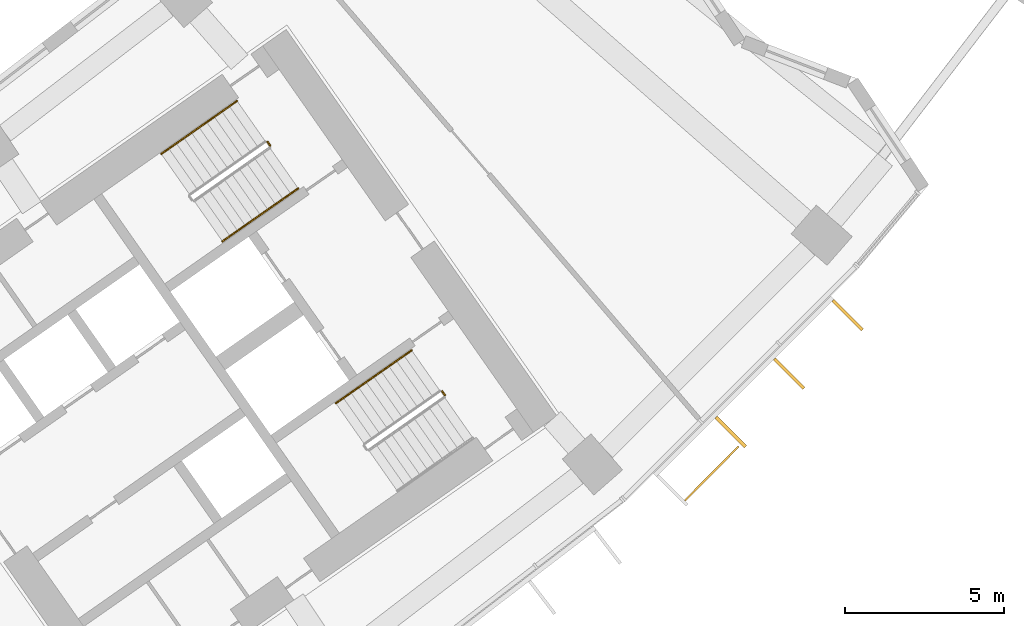
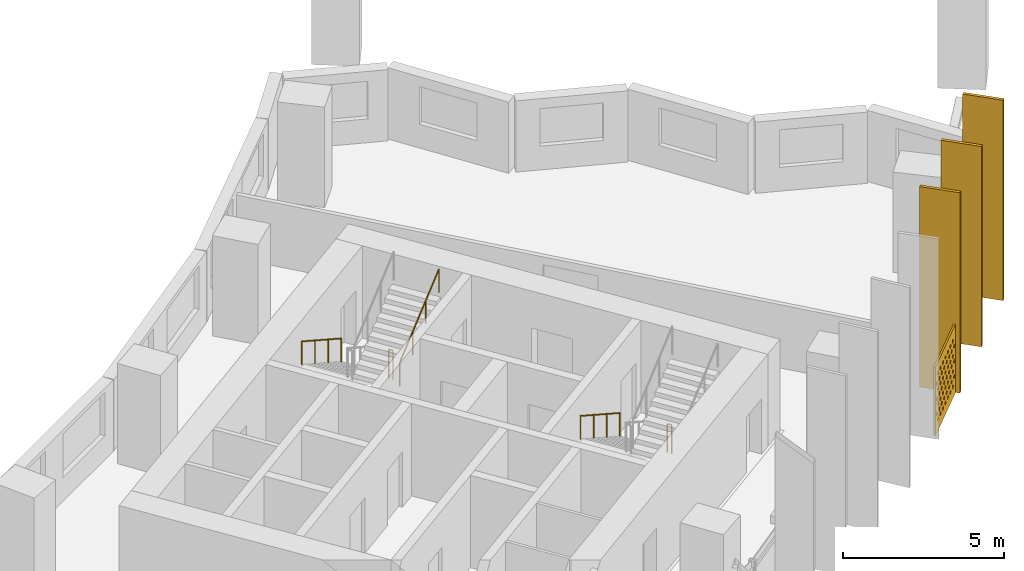
# One storey, part 29 of 29: 5 railings, 4 shading devices.
"""IFC4 building model written with IfcOpenShell, lengths in metres."""

import ifcopenshell
import ifcopenshell.guid

model = None  # the IFC model being written
_history = None  # IfcOwnerHistory: only IFC2X3 demands one
_inside = {}  # id of a spatial element -> (the spatial element, [elements in it])
_under = {}  # id of a project, library or spatial element -> (it, [spatial elements below it])
_declared = {}  # id of a project -> (the project, [libraries it declares])
_typed = {}  # id of a type object -> (the type object, [elements of that type])
_made_of = {}  # id of a material, layer set ... -> (it, [elements and type objects made of it])


def new_model(schema):
    """Start an empty IFC model of exactly this schema.

    Asked for "IFC4X3", IfcOpenShell would pick the latest addendum, in which some entities
    have other attributes; the version numbers below select the first issue.
    IFC2X3 requires an IfcOwnerHistory on every rooted entity: one is made here for all.
    """
    global model, _history
    if schema == "IFC4X3":
        model = ifcopenshell.file(schema_version=(4, 3, 0, 0))
    else:
        model = ifcopenshell.file(schema=schema)
    _inside.clear()
    _under.clear()
    _declared.clear()
    _typed.clear()
    _made_of.clear()
    _history = None
    if model.schema == "IFC2X3":
        org = make("IfcOrganization", Name="unknown")
        user = make(
            "IfcPersonAndOrganization",
            ThePerson=make("IfcPerson", FamilyName="unknown"),
            TheOrganization=org,
        )
        app = make(
            "IfcApplication",
            ApplicationDeveloper=org,
            Version="unknown",
            ApplicationFullName="unknown",
            ApplicationIdentifier="unknown",
        )
        _history = make(
            "IfcOwnerHistory",
            OwningUser=user,
            OwningApplication=app,
            ChangeAction="ADDED",
            CreationDate=0,
        )
    return model


def make(cls, **values):
    """One entity of the class cls with the attributes given. An attribute that is None is left unset."""
    return model.create_entity(
        cls, **{name: value for name, value in values.items() if value is not None}
    )


def rooted(cls, **values):
    """An entity with a GlobalId (a new one), such as an element, a storey or a relation."""
    return make(cls, GlobalId=ifcopenshell.guid.new(), OwnerHistory=_history, **values)


def si_unit(unit_type, name, prefix=None):
    """IfcSIUnit, for example si_unit("LENGTHUNIT", "METRE", prefix="MILLI")."""
    return make("IfcSIUnit", UnitType=unit_type, Prefix=prefix, Name=name)


def assignment(units):
    """IfcUnitAssignment: the units of a project."""
    return None if units is None else make("IfcUnitAssignment", Units=units)


def point(xyz):
    """IfcCartesianPoint."""
    return None if xyz is None else make("IfcCartesianPoint", Coordinates=xyz)


def direction(xyz):
    """IfcDirection."""
    return None if xyz is None else make("IfcDirection", DirectionRatios=xyz)


def frame(location, z_axis=None, x_axis=None):
    """IfcAxis2Placement3D, a coordinate frame: its origin and axes. An axis left out is left unset."""
    return make(
        "IfcAxis2Placement3D",
        Location=point(location),
        Axis=direction(z_axis),
        RefDirection=direction(x_axis),
    )


def frame_2d(location, x_axis=None):
    """IfcAxis2Placement2D, a coordinate frame in the plane: its origin and x axis."""
    return make(
        "IfcAxis2Placement2D", Location=point(location), RefDirection=direction(x_axis)
    )


def origin():
    """The frame at (0, 0, 0) with its axes left unset."""
    return frame((0.0, 0.0, 0.0))


def origin_2d():
    """The frame at (0, 0) in the plane with its x axis left unset."""
    return frame_2d((0.0, 0.0))


def place(relative_to, where):
    """IfcLocalPlacement: puts the frame where relative to a parent placement (None: the world)."""
    return make(
        "IfcLocalPlacement", PlacementRelTo=relative_to, RelativePlacement=where
    )


def context(
    kind, dimensions, precision=None, world=None, true_north=None, identifier=None
):
    """IfcGeometricRepresentationContext, for example the 3D "Model" context."""
    return make(
        "IfcGeometricRepresentationContext",
        ContextIdentifier=identifier,
        ContextType=kind,
        CoordinateSpaceDimension=dimensions,
        Precision=precision,
        WorldCoordinateSystem=world,
        TrueNorth=true_north,
    )


def subcontext(parent, identifier, kind, view, scale=None):
    """IfcGeometricRepresentationSubContext, for example "Body" below "Model"."""
    return make(
        "IfcGeometricRepresentationSubContext",
        ContextIdentifier=identifier,
        ContextType=kind,
        ParentContext=parent,
        TargetScale=scale,
        TargetView=view,
    )


def project(units=None, contexts=None):
    """IfcProject with its units and contexts."""
    return rooted(
        "IfcProject",
        Name="project",
        RepresentationContexts=contexts,
        UnitsInContext=assignment(units),
    )


def spatial(cls, under=None, at=None, **own):
    """A site, building, storey or space (cls), placed at a placement, below another one or the project."""
    s = rooted(cls, ObjectPlacement=at, **own)
    if under is not None:
        _under.setdefault(under.id(), (under, []))[1].append(s)
    return s


def polyline(points):
    """IfcPolyline through the points."""
    return make("IfcPolyline", Points=[point(p) for p in points])


def profile(cls, at=None, kind="AREA", **sizes):
    """A parametric profile (cls). Its sizes go by their IFC names, for example OverallWidth=200.0."""
    return make(cls, ProfileType=kind, Position=at, **sizes)


def rectangle(**sizes):
    """IfcRectangleProfileDef."""
    return profile("IfcRectangleProfileDef", **sizes)


def circle(**sizes):
    """IfcCircleProfileDef."""
    return profile("IfcCircleProfileDef", **sizes)


def outline(outer, holes=None, kind="AREA"):
    """IfcArbitraryClosedProfileDef: a profile drawn as a closed curve; with holes, ...WithVoids."""
    if holes is None:
        return make("IfcArbitraryClosedProfileDef", ProfileType=kind, OuterCurve=outer)
    return make(
        "IfcArbitraryProfileDefWithVoids",
        ProfileType=kind,
        OuterCurve=outer,
        InnerCurves=holes,
    )


def extrude(swept, where, along, depth):
    """IfcExtrudedAreaSolid: the profile swept, set in the frame where, extruded along a direction by depth."""
    return make(
        "IfcExtrudedAreaSolid",
        SweptArea=swept,
        Position=where,
        ExtrudedDirection=direction(along),
        Depth=depth,
    )


def shape(context_of_items, identifier, shape_type, items):
    """IfcShapeRepresentation: the items that make up one representation, for example the "Body"."""
    return make(
        "IfcShapeRepresentation",
        ContextOfItems=context_of_items,
        RepresentationIdentifier=identifier,
        RepresentationType=shape_type,
        Items=items,
    )


def material(Name=None, Category=None):
    """IfcMaterial."""
    return make("IfcMaterial", Name=Name, Category=Category)


def material_profile(
    of_material, cross_section, Name=None, Category=None, Priority=None
):
    """IfcMaterialProfile: a cross section and its material."""
    return make(
        "IfcMaterialProfile",
        Name=Name,
        Material=of_material,
        Profile=cross_section,
        Priority=Priority,
        Category=Category,
    )


def profile_set(profiles, Name=None, composite=None):
    """IfcMaterialProfileSet."""
    return make(
        "IfcMaterialProfileSet",
        Name=Name,
        MaterialProfiles=profiles,
        CompositeProfile=composite,
    )


def made_of(thing, what):
    """Note that an element or type object is made of a material, layer set ...; save() writes the relation."""
    if what is not None:
        _made_of.setdefault(what.id(), (what, []))[1].append(thing)
    return thing


def type_object(cls, material=None, **own):
    """A type object (cls), such as IfcWallType, which elements share."""
    return made_of(rooted(cls, **own), material)


def element(
    cls,
    number,
    at=None,
    inside=None,
    cuts=None,
    type_object=None,
    material=None,
    context=None,
    identifier="Body",
    shape_type=None,
    held_by="IfcProductDefinitionShape",
    body=None,
    shapes=None,
    **own,
):
    """One element of the class cls, such as IfcWall. Its Tag is "e" and its number.

    at: its placement. inside: the storey or other place that contains it. cuts: it is an
    opening in that element (IfcRelVoidsElement). A single representation is given by context,
    identifier, shape_type and body (its items); several are given by shapes. held_by: the class
    of the entity that holds the representations. save() writes the other relations.
    """
    e = rooted(cls, Tag="e%d" % number, ObjectPlacement=at, **own)
    if body is not None:
        shapes = [shape(context, identifier, shape_type, body)]
    if shapes is not None:
        e.Representation = make(held_by, Representations=shapes)
    if inside is not None:
        _inside.setdefault(inside.id(), (inside, []))[1].append(e)
    if cuts is not None:
        rooted(
            "IfcRelVoidsElement", RelatingBuildingElement=cuts, RelatedOpeningElement=e
        )
    if type_object is not None:
        _typed.setdefault(type_object.id(), (type_object, []))[1].append(e)
    return made_of(e, material)


def aggregate(whole, parts):
    """IfcRelAggregates: a whole, such as a stair, and the parts it consists of."""
    return rooted("IfcRelAggregates", RelatingObject=whole, RelatedObjects=parts)


def save(model, path):
    """Write the relations noted so far, then the file.

    IfcRelAggregates (storeys below a building ...), IfcRelContainedInSpatialStructure (elements
    in a storey), IfcRelDefinesByType, IfcRelAssociatesMaterial and IfcRelDeclares: one each for
    every whole, place, type object, material and project.
    """
    for whole, parts in _under.values():
        aggregate(whole, parts)
    for where, things in _inside.values():
        rooted(
            "IfcRelContainedInSpatialStructure",
            RelatedElements=things,
            RelatingStructure=where,
        )
    for kind, things in _typed.values():
        rooted("IfcRelDefinesByType", RelatedObjects=things, RelatingType=kind)
    for what, things in _made_of.values():
        rooted("IfcRelAssociatesMaterial", RelatedObjects=things, RelatingMaterial=what)
    for by, libraries in _declared.values():
        rooted("IfcRelDeclares", RelatingContext=by, RelatedDefinitions=libraries)
    model.write(path)


model = new_model("IFC4")

# Units and contexts
model_context = context("Model", 3, precision=1e-05, world=origin(), true_north=direction((0.0, 1.0)))
body_context = subcontext(model_context, "Body", "Model", "MODEL_VIEW")
ifc_project = project(units=[si_unit("LENGTHUNIT", "METRE"), si_unit("AREAUNIT", "SQUARE_METRE"), si_unit("VOLUMEUNIT", "CUBIC_METRE"), si_unit("PLANEANGLEUNIT", "RADIAN"), si_unit("MASSUNIT", "GRAM", prefix="KILO")], contexts=[model_context])

# Site, building, storey
site_placement = place(None, origin())
site = spatial("IfcSite", under=ifc_project, at=site_placement, CompositionType="ELEMENT")
building_placement = place(site_placement, origin())
building = spatial("IfcBuilding", under=site, at=building_placement, Name="Qamariyya Broadcast Tower", CompositionType="ELEMENT")
storey_placement = place(building_placement, frame((0.0, 0.0, 132.89990234375)))
storey = spatial("IfcBuildingStorey", under=building, at=storey_placement, Name="L30", CompositionType="ELEMENT", Elevation=132.89990234375)

# Shading device
ifc_material_1 = material(Name="Perforated glazed terracotta", Category="masonry")
ifc_material_profile_1 = material_profile(ifc_material_1, outline(polyline([(-1.199951171875, -1.300048828125), (1.199951171875, -1.300048828125), (1.199951171875, 1.300048828125), (-1.199951171875, 1.300048828125), (-1.199951171875, -1.300048828125)]), holes=[polyline([(-0.81494140625, -0.86669921875), (-0.89990234375, -0.78173828125), (-0.985107421875, -0.86669921875), (-0.89990234375, -0.95166015625), (-0.81494140625, -0.86669921875)]), polyline([(-0.514892578125, -0.86669921875), (-0.60009765625, -0.78173828125), (-0.68505859375, -0.86669921875), (-0.60009765625, -0.95166015625), (-0.514892578125, -0.86669921875)]), polyline([(-0.215087890625, -0.86669921875), (-0.300048828125, -0.78173828125), (-0.385009765625, -0.86669921875), (-0.300048828125, -0.95166015625), (-0.215087890625, -0.86669921875)]), polyline([(0.0849609375, -0.86669921875), (0.0, -0.78173828125), (-0.0849609375, -0.86669921875), (0.0, -0.95166015625), (0.0849609375, -0.86669921875)]), polyline([(0.385009765625, -0.86669921875), (0.300048828125, -0.78173828125), (0.215087890625, -0.86669921875), (0.300048828125, -0.95166015625), (0.385009765625, -0.86669921875)]), polyline([(0.68505859375, -0.86669921875), (0.60009765625, -0.78173828125), (0.514892578125, -0.86669921875), (0.60009765625, -0.95166015625), (0.68505859375, -0.86669921875)]), polyline([(0.985107421875, -0.86669921875), (0.89990234375, -0.78173828125), (0.81494140625, -0.86669921875), (0.89990234375, -0.95166015625), (0.985107421875, -0.86669921875)]), polyline([(-0.965087890625, -0.577880859375), (-1.050048828125, -0.49267578125), (-1.135009765625, -0.577880859375), (-1.050048828125, -0.662841796875), (-0.965087890625, -0.577880859375)]), polyline([(-0.6650390625, -0.577880859375), (-0.75, -0.49267578125), (-0.8349609375, -0.577880859375), (-0.75, -0.662841796875), (-0.6650390625, -0.577880859375)]), polyline([(-0.364990234375, -0.577880859375), (-0.449951171875, -0.49267578125), (-0.534912109375, -0.577880859375), (-0.449951171875, -0.662841796875), (-0.364990234375, -0.577880859375)]), polyline([(-0.06494140625, -0.577880859375), (-0.14990234375, -0.49267578125), (-0.235107421875, -0.577880859375), (-0.14990234375, -0.662841796875), (-0.06494140625, -0.577880859375)]), polyline([(0.235107421875, -0.577880859375), (0.14990234375, -0.49267578125), (0.06494140625, -0.577880859375), (0.14990234375, -0.662841796875), (0.235107421875, -0.577880859375)]), polyline([(0.534912109375, -0.577880859375), (0.449951171875, -0.49267578125), (0.364990234375, -0.577880859375), (0.449951171875, -0.662841796875), (0.534912109375, -0.577880859375)]), polyline([(0.8349609375, -0.577880859375), (0.75, -0.49267578125), (0.6650390625, -0.577880859375), (0.75, -0.662841796875), (0.8349609375, -0.577880859375)]), polyline([(1.135009765625, -0.577880859375), (1.050048828125, -0.49267578125), (0.965087890625, -0.577880859375), (1.050048828125, -0.662841796875), (1.135009765625, -0.577880859375)]), polyline([(-0.81494140625, -0.288818359375), (-0.89990234375, -0.203857421875), (-0.985107421875, -0.288818359375), (-0.89990234375, -0.373779296875), (-0.81494140625, -0.288818359375)]), polyline([(-0.514892578125, -0.288818359375), (-0.60009765625, -0.203857421875), (-0.68505859375, -0.288818359375), (-0.60009765625, -0.373779296875), (-0.514892578125, -0.288818359375)]), polyline([(-0.215087890625, -0.288818359375), (-0.300048828125, -0.203857421875), (-0.385009765625, -0.288818359375), (-0.300048828125, -0.373779296875), (-0.215087890625, -0.288818359375)]), polyline([(0.0849609375, -0.288818359375), (0.0, -0.203857421875), (-0.0849609375, -0.288818359375), (0.0, -0.373779296875), (0.0849609375, -0.288818359375)]), polyline([(0.385009765625, -0.288818359375), (0.300048828125, -0.203857421875), (0.215087890625, -0.288818359375), (0.300048828125, -0.373779296875), (0.385009765625, -0.288818359375)]), polyline([(0.68505859375, -0.288818359375), (0.60009765625, -0.203857421875), (0.514892578125, -0.288818359375), (0.60009765625, -0.373779296875), (0.68505859375, -0.288818359375)]), polyline([(0.985107421875, -0.288818359375), (0.89990234375, -0.203857421875), (0.81494140625, -0.288818359375), (0.89990234375, -0.373779296875), (0.985107421875, -0.288818359375)]), polyline([(-0.965087890625, 0.0), (-1.050048828125, 0.0849609375), (-1.135009765625, 0.0), (-1.050048828125, -0.0849609375), (-0.965087890625, 0.0)]), polyline([(-0.6650390625, 0.0), (-0.75, 0.0849609375), (-0.8349609375, 0.0), (-0.75, -0.0849609375), (-0.6650390625, 0.0)]), polyline([(-0.364990234375, 0.0), (-0.449951171875, 0.0849609375), (-0.534912109375, 0.0), (-0.449951171875, -0.0849609375), (-0.364990234375, 0.0)]), polyline([(-0.06494140625, 0.0), (-0.14990234375, 0.0849609375), (-0.235107421875, 0.0), (-0.14990234375, -0.0849609375), (-0.06494140625, 0.0)]), polyline([(0.235107421875, 0.0), (0.14990234375, 0.0849609375), (0.06494140625, 0.0), (0.14990234375, -0.0849609375), (0.235107421875, 0.0)]), polyline([(0.534912109375, 0.0), (0.449951171875, 0.0849609375), (0.364990234375, 0.0), (0.449951171875, -0.0849609375), (0.534912109375, 0.0)]), polyline([(0.8349609375, 0.0), (0.75, 0.0849609375), (0.6650390625, 0.0), (0.75, -0.0849609375), (0.8349609375, 0.0)]), polyline([(1.135009765625, 0.0), (1.050048828125, 0.0849609375), (0.965087890625, 0.0), (1.050048828125, -0.0849609375), (1.135009765625, 0.0)]), polyline([(-0.81494140625, 0.288818359375), (-0.89990234375, 0.373779296875), (-0.985107421875, 0.288818359375), (-0.89990234375, 0.203857421875), (-0.81494140625, 0.288818359375)]), polyline([(-0.514892578125, 0.288818359375), (-0.60009765625, 0.373779296875), (-0.68505859375, 0.288818359375), (-0.60009765625, 0.203857421875), (-0.514892578125, 0.288818359375)]), polyline([(-0.215087890625, 0.288818359375), (-0.300048828125, 0.373779296875), (-0.385009765625, 0.288818359375), (-0.300048828125, 0.203857421875), (-0.215087890625, 0.288818359375)]), polyline([(0.0849609375, 0.288818359375), (0.0, 0.373779296875), (-0.0849609375, 0.288818359375), (0.0, 0.203857421875), (0.0849609375, 0.288818359375)]), polyline([(0.385009765625, 0.288818359375), (0.300048828125, 0.373779296875), (0.215087890625, 0.288818359375), (0.300048828125, 0.203857421875), (0.385009765625, 0.288818359375)]), polyline([(0.68505859375, 0.288818359375), (0.60009765625, 0.373779296875), (0.514892578125, 0.288818359375), (0.60009765625, 0.203857421875), (0.68505859375, 0.288818359375)]), polyline([(0.985107421875, 0.288818359375), (0.89990234375, 0.373779296875), (0.81494140625, 0.288818359375), (0.89990234375, 0.203857421875), (0.985107421875, 0.288818359375)]), polyline([(-0.965087890625, 0.577880859375), (-1.050048828125, 0.662841796875), (-1.135009765625, 0.577880859375), (-1.050048828125, 0.49267578125), (-0.965087890625, 0.577880859375)]), polyline([(-0.6650390625, 0.577880859375), (-0.75, 0.662841796875), (-0.8349609375, 0.577880859375), (-0.75, 0.49267578125), (-0.6650390625, 0.577880859375)]), polyline([(-0.364990234375, 0.577880859375), (-0.449951171875, 0.662841796875), (-0.534912109375, 0.577880859375), (-0.449951171875, 0.49267578125), (-0.364990234375, 0.577880859375)]), polyline([(-0.06494140625, 0.577880859375), (-0.14990234375, 0.662841796875), (-0.235107421875, 0.577880859375), (-0.14990234375, 0.49267578125), (-0.06494140625, 0.577880859375)]), polyline([(0.235107421875, 0.577880859375), (0.14990234375, 0.662841796875), (0.06494140625, 0.577880859375), (0.14990234375, 0.49267578125), (0.235107421875, 0.577880859375)]), polyline([(0.534912109375, 0.577880859375), (0.449951171875, 0.662841796875), (0.364990234375, 0.577880859375), (0.449951171875, 0.49267578125), (0.534912109375, 0.577880859375)]), polyline([(0.8349609375, 0.577880859375), (0.75, 0.662841796875), (0.6650390625, 0.577880859375), (0.75, 0.49267578125), (0.8349609375, 0.577880859375)]), polyline([(1.135009765625, 0.577880859375), (1.050048828125, 0.662841796875), (0.965087890625, 0.577880859375), (1.050048828125, 0.49267578125), (1.135009765625, 0.577880859375)]), polyline([(-0.81494140625, 0.86669921875), (-0.89990234375, 0.95166015625), (-0.985107421875, 0.86669921875), (-0.89990234375, 0.78173828125), (-0.81494140625, 0.86669921875)]), polyline([(-0.514892578125, 0.86669921875), (-0.60009765625, 0.95166015625), (-0.68505859375, 0.86669921875), (-0.60009765625, 0.78173828125), (-0.514892578125, 0.86669921875)]), polyline([(-0.215087890625, 0.86669921875), (-0.300048828125, 0.95166015625), (-0.385009765625, 0.86669921875), (-0.300048828125, 0.78173828125), (-0.215087890625, 0.86669921875)]), polyline([(0.0849609375, 0.86669921875), (0.0, 0.95166015625), (-0.0849609375, 0.86669921875), (0.0, 0.78173828125), (0.0849609375, 0.86669921875)]), polyline([(0.385009765625, 0.86669921875), (0.300048828125, 0.95166015625), (0.215087890625, 0.86669921875), (0.300048828125, 0.78173828125), (0.385009765625, 0.86669921875)]), polyline([(0.68505859375, 0.86669921875), (0.60009765625, 0.95166015625), (0.514892578125, 0.86669921875), (0.60009765625, 0.78173828125), (0.68505859375, 0.86669921875)]), polyline([(0.985107421875, 0.86669921875), (0.89990234375, 0.95166015625), (0.81494140625, 0.86669921875), (0.89990234375, 0.78173828125), (0.985107421875, 0.86669921875)])]))
ifc_profile_set_1 = profile_set([ifc_material_profile_1], Name="Perforated glazed terracotta")
shading_device_type_1 = type_object("IfcShadingDeviceType", Name="Perforated terracotta screen 2400 x 2600", PredefinedType="USERDEFINED", material=ifc_profile_set_1)
shading_device_placement = place(storey_placement, frame((54.98486328125, -58.71826171875, 1.35009765625), z_axis=(0.709141608176, -0.705066081692, 0.0), x_axis=(0.705066081692, 0.709141608176, 0.0)))
element("IfcShadingDevice", 1, at=shading_device_placement, inside=storey, type_object=shading_device_type_1, Name="e-scr-L30-15-0", ObjectType="SCREEN", PredefinedType="USERDEFINED", context=body_context, shape_type="SweptSolid", body=[
    extrude(outline(polyline([(-1.199951171875, -1.300048828125), (1.199951171875, -1.300048828125), (1.199951171875, 1.300048828125), (-1.199951171875, 1.300048828125), (-1.199951171875, -1.300048828125)]), holes=[polyline([(-0.81494140625, -0.86669921875), (-0.89990234375, -0.78173828125), (-0.985107421875, -0.86669921875), (-0.89990234375, -0.95166015625), (-0.81494140625, -0.86669921875)]), polyline([(-0.514892578125, -0.86669921875), (-0.60009765625, -0.78173828125), (-0.68505859375, -0.86669921875), (-0.60009765625, -0.95166015625), (-0.514892578125, -0.86669921875)]), polyline([(-0.215087890625, -0.86669921875), (-0.300048828125, -0.78173828125), (-0.385009765625, -0.86669921875), (-0.300048828125, -0.95166015625), (-0.215087890625, -0.86669921875)]), polyline([(0.0849609375, -0.86669921875), (0.0, -0.78173828125), (-0.0849609375, -0.86669921875), (0.0, -0.95166015625), (0.0849609375, -0.86669921875)]), polyline([(0.385009765625, -0.86669921875), (0.300048828125, -0.78173828125), (0.215087890625, -0.86669921875), (0.300048828125, -0.95166015625), (0.385009765625, -0.86669921875)]), polyline([(0.68505859375, -0.86669921875), (0.60009765625, -0.78173828125), (0.514892578125, -0.86669921875), (0.60009765625, -0.95166015625), (0.68505859375, -0.86669921875)]), polyline([(0.985107421875, -0.86669921875), (0.89990234375, -0.78173828125), (0.81494140625, -0.86669921875), (0.89990234375, -0.95166015625), (0.985107421875, -0.86669921875)]), polyline([(-0.965087890625, -0.577880859375), (-1.050048828125, -0.49267578125), (-1.135009765625, -0.577880859375), (-1.050048828125, -0.662841796875), (-0.965087890625, -0.577880859375)]), polyline([(-0.6650390625, -0.577880859375), (-0.75, -0.49267578125), (-0.8349609375, -0.577880859375), (-0.75, -0.662841796875), (-0.6650390625, -0.577880859375)]), polyline([(-0.364990234375, -0.577880859375), (-0.449951171875, -0.49267578125), (-0.534912109375, -0.577880859375), (-0.449951171875, -0.662841796875), (-0.364990234375, -0.577880859375)]), polyline([(-0.06494140625, -0.577880859375), (-0.14990234375, -0.49267578125), (-0.235107421875, -0.577880859375), (-0.14990234375, -0.662841796875), (-0.06494140625, -0.577880859375)]), polyline([(0.235107421875, -0.577880859375), (0.14990234375, -0.49267578125), (0.06494140625, -0.577880859375), (0.14990234375, -0.662841796875), (0.235107421875, -0.577880859375)]), polyline([(0.534912109375, -0.577880859375), (0.449951171875, -0.49267578125), (0.364990234375, -0.577880859375), (0.449951171875, -0.662841796875), (0.534912109375, -0.577880859375)]), polyline([(0.8349609375, -0.577880859375), (0.75, -0.49267578125), (0.6650390625, -0.577880859375), (0.75, -0.662841796875), (0.8349609375, -0.577880859375)]), polyline([(1.135009765625, -0.577880859375), (1.050048828125, -0.49267578125), (0.965087890625, -0.577880859375), (1.050048828125, -0.662841796875), (1.135009765625, -0.577880859375)]), polyline([(-0.81494140625, -0.288818359375), (-0.89990234375, -0.203857421875), (-0.985107421875, -0.288818359375), (-0.89990234375, -0.373779296875), (-0.81494140625, -0.288818359375)]), polyline([(-0.514892578125, -0.288818359375), (-0.60009765625, -0.203857421875), (-0.68505859375, -0.288818359375), (-0.60009765625, -0.373779296875), (-0.514892578125, -0.288818359375)]), polyline([(-0.215087890625, -0.288818359375), (-0.300048828125, -0.203857421875), (-0.385009765625, -0.288818359375), (-0.300048828125, -0.373779296875), (-0.215087890625, -0.288818359375)]), polyline([(0.0849609375, -0.288818359375), (0.0, -0.203857421875), (-0.0849609375, -0.288818359375), (0.0, -0.373779296875), (0.0849609375, -0.288818359375)]), polyline([(0.385009765625, -0.288818359375), (0.300048828125, -0.203857421875), (0.215087890625, -0.288818359375), (0.300048828125, -0.373779296875), (0.385009765625, -0.288818359375)]), polyline([(0.68505859375, -0.288818359375), (0.60009765625, -0.203857421875), (0.514892578125, -0.288818359375), (0.60009765625, -0.373779296875), (0.68505859375, -0.288818359375)]), polyline([(0.985107421875, -0.288818359375), (0.89990234375, -0.203857421875), (0.81494140625, -0.288818359375), (0.89990234375, -0.373779296875), (0.985107421875, -0.288818359375)]), polyline([(-0.965087890625, 0.0), (-1.050048828125, 0.0849609375), (-1.135009765625, 0.0), (-1.050048828125, -0.0849609375), (-0.965087890625, 0.0)]), polyline([(-0.6650390625, 0.0), (-0.75, 0.0849609375), (-0.8349609375, 0.0), (-0.75, -0.0849609375), (-0.6650390625, 0.0)]), polyline([(-0.364990234375, 0.0), (-0.449951171875, 0.0849609375), (-0.534912109375, 0.0), (-0.449951171875, -0.0849609375), (-0.364990234375, 0.0)]), polyline([(-0.06494140625, 0.0), (-0.14990234375, 0.0849609375), (-0.235107421875, 0.0), (-0.14990234375, -0.0849609375), (-0.06494140625, 0.0)]), polyline([(0.235107421875, 0.0), (0.14990234375, 0.0849609375), (0.06494140625, 0.0), (0.14990234375, -0.0849609375), (0.235107421875, 0.0)]), polyline([(0.534912109375, 0.0), (0.449951171875, 0.0849609375), (0.364990234375, 0.0), (0.449951171875, -0.0849609375), (0.534912109375, 0.0)]), polyline([(0.8349609375, 0.0), (0.75, 0.0849609375), (0.6650390625, 0.0), (0.75, -0.0849609375), (0.8349609375, 0.0)]), polyline([(1.135009765625, 0.0), (1.050048828125, 0.0849609375), (0.965087890625, 0.0), (1.050048828125, -0.0849609375), (1.135009765625, 0.0)]), polyline([(-0.81494140625, 0.288818359375), (-0.89990234375, 0.373779296875), (-0.985107421875, 0.288818359375), (-0.89990234375, 0.203857421875), (-0.81494140625, 0.288818359375)]), polyline([(-0.514892578125, 0.288818359375), (-0.60009765625, 0.373779296875), (-0.68505859375, 0.288818359375), (-0.60009765625, 0.203857421875), (-0.514892578125, 0.288818359375)]), polyline([(-0.215087890625, 0.288818359375), (-0.300048828125, 0.373779296875), (-0.385009765625, 0.288818359375), (-0.300048828125, 0.203857421875), (-0.215087890625, 0.288818359375)]), polyline([(0.0849609375, 0.288818359375), (0.0, 0.373779296875), (-0.0849609375, 0.288818359375), (0.0, 0.203857421875), (0.0849609375, 0.288818359375)]), polyline([(0.385009765625, 0.288818359375), (0.300048828125, 0.373779296875), (0.215087890625, 0.288818359375), (0.300048828125, 0.203857421875), (0.385009765625, 0.288818359375)]), polyline([(0.68505859375, 0.288818359375), (0.60009765625, 0.373779296875), (0.514892578125, 0.288818359375), (0.60009765625, 0.203857421875), (0.68505859375, 0.288818359375)]), polyline([(0.985107421875, 0.288818359375), (0.89990234375, 0.373779296875), (0.81494140625, 0.288818359375), (0.89990234375, 0.203857421875), (0.985107421875, 0.288818359375)]), polyline([(-0.965087890625, 0.577880859375), (-1.050048828125, 0.662841796875), (-1.135009765625, 0.577880859375), (-1.050048828125, 0.49267578125), (-0.965087890625, 0.577880859375)]), polyline([(-0.6650390625, 0.577880859375), (-0.75, 0.662841796875), (-0.8349609375, 0.577880859375), (-0.75, 0.49267578125), (-0.6650390625, 0.577880859375)]), polyline([(-0.364990234375, 0.577880859375), (-0.449951171875, 0.662841796875), (-0.534912109375, 0.577880859375), (-0.449951171875, 0.49267578125), (-0.364990234375, 0.577880859375)]), polyline([(-0.06494140625, 0.577880859375), (-0.14990234375, 0.662841796875), (-0.235107421875, 0.577880859375), (-0.14990234375, 0.49267578125), (-0.06494140625, 0.577880859375)]), polyline([(0.235107421875, 0.577880859375), (0.14990234375, 0.662841796875), (0.06494140625, 0.577880859375), (0.14990234375, 0.49267578125), (0.235107421875, 0.577880859375)]), polyline([(0.534912109375, 0.577880859375), (0.449951171875, 0.662841796875), (0.364990234375, 0.577880859375), (0.449951171875, 0.49267578125), (0.534912109375, 0.577880859375)]), polyline([(0.8349609375, 0.577880859375), (0.75, 0.662841796875), (0.6650390625, 0.577880859375), (0.75, 0.49267578125), (0.8349609375, 0.577880859375)]), polyline([(1.135009765625, 0.577880859375), (1.050048828125, 0.662841796875), (0.965087890625, 0.577880859375), (1.050048828125, 0.49267578125), (1.135009765625, 0.577880859375)]), polyline([(-0.81494140625, 0.86669921875), (-0.89990234375, 0.95166015625), (-0.985107421875, 0.86669921875), (-0.89990234375, 0.78173828125), (-0.81494140625, 0.86669921875)]), polyline([(-0.514892578125, 0.86669921875), (-0.60009765625, 0.95166015625), (-0.68505859375, 0.86669921875), (-0.60009765625, 0.78173828125), (-0.514892578125, 0.86669921875)]), polyline([(-0.215087890625, 0.86669921875), (-0.300048828125, 0.95166015625), (-0.385009765625, 0.86669921875), (-0.300048828125, 0.78173828125), (-0.215087890625, 0.86669921875)]), polyline([(0.0849609375, 0.86669921875), (0.0, 0.95166015625), (-0.0849609375, 0.86669921875), (0.0, 0.78173828125), (0.0849609375, 0.86669921875)]), polyline([(0.385009765625, 0.86669921875), (0.300048828125, 0.95166015625), (0.215087890625, 0.86669921875), (0.300048828125, 0.78173828125), (0.385009765625, 0.86669921875)]), polyline([(0.68505859375, 0.86669921875), (0.60009765625, 0.95166015625), (0.514892578125, 0.86669921875), (0.60009765625, 0.78173828125), (0.68505859375, 0.86669921875)]), polyline([(0.985107421875, 0.86669921875), (0.89990234375, 0.95166015625), (0.81494140625, 0.86669921875), (0.89990234375, 0.78173828125), (0.985107421875, 0.86669921875)])]), origin(), (0.0, 0.0, 1.0), 0.059814453125),
])

# Railings
ifc_material_2 = material(Name="Painted steel", Category="steel")
railing_type_1 = type_object("IfcRailingType", Name="Stair guard", PredefinedType="GUARDRAIL", material=ifc_material_2)
railing_1_placement = place(storey_placement, frame((41.072998046875, -48.332275390625, 0.0)))
element("IfcRailing", 2, at=railing_1_placement, inside=storey, type_object=railing_type_1, Name="L30 ST-E2 stair guard 3", PredefinedType="GUARDRAIL", context=body_context, shape_type="SweptSolid", body=[
    extrude(circle(Radius=0.02392578125, at=origin_2d()), frame((0.0, 0.0, 1.076171875), z_axis=(0.572588637393, -0.819842821722, 0.0), x_axis=(0.819842821722, 0.572588637393, 0.0)), (0.0, 0.0, 1.0), 0.150146484375),
    extrude(circle(Radius=0.02099609375, at=origin_2d()), origin(), (0.0, 0.0, 1.0), 1.052001953125),
    extrude(circle(Radius=0.02099609375, at=origin_2d()), frame((0.0859375, -0.123046875, 0.0)), (0.0, 0.0, 1.0), 1.052001953125),
])
railing_2_placement = place(storey_placement, frame((46.550537109375, -56.1552734375, 0.0)))
element("IfcRailing", 3, at=railing_2_placement, inside=storey, type_object=railing_type_1, Name="L30 ST-E1 stair guard 3", PredefinedType="GUARDRAIL", context=body_context, shape_type="SweptSolid", body=[
    extrude(circle(Radius=0.02392578125, at=origin_2d()), frame((0.0, 0.0, 1.076171875), z_axis=(0.574444878118, -0.818543268254, 0.0), x_axis=(0.818543268254, 0.574444878118, 0.0)), (0.0, 0.0, 1.0), 0.150146484375),
    extrude(circle(Radius=0.02099609375, at=origin_2d()), origin(), (0.0, 0.0, 1.0), 1.052001953125),
    extrude(circle(Radius=0.02099609375, at=origin_2d()), frame((0.086181640625, -0.122802734375, 0.0)), (0.0, 0.0, 1.0), 1.052001953125),
])
ifc_material_3 = material(Name="Stainless steel", Category="steel")
railing_type_2 = type_object("IfcRailingType", Name="Stair handrail", PredefinedType="HANDRAIL", material=ifc_material_3)
railing_3_placement = place(storey_placement, frame((40.1142578125, -47.05029296875, 0.1728515625)))
element("IfcRailing", 4, at=railing_3_placement, inside=storey, type_object=railing_type_2, Name="L30 ST-E2 stair handrail 1", PredefinedType="HANDRAIL", context=body_context, shape_type="SweptSolid", body=[
    extrude(circle(Radius=0.02392578125, at=origin_2d()), frame((0.0, 0.0, 0.8759765625), z_axis=(-0.703745009021, -0.492838488332, 0.511715923826), x_axis=(0.573631830683, -0.819113253969, 0.0)), (0.0, 0.0, 1.0), 3.37548828125),
    extrude(circle(Radius=0.02099609375, at=origin_2d()), origin(), (0.0, 0.0, 1.0), 0.851806640625),
    extrude(circle(Radius=0.02099609375, at=origin_2d()), frame((-0.791748046875, -0.554443359375, 0.57568359375)), (0.0, 0.0, 1.0), 0.851806640625),
    extrude(circle(Radius=0.02099609375, at=origin_2d()), frame((-1.583740234375, -1.109130859375, 1.151611328125)), (0.0, 0.0, 1.0), 0.851806640625),
    extrude(circle(Radius=0.02099609375, at=origin_2d()), frame((-2.37548828125, -1.66357421875, 1.727294921875)), (0.0, 0.0, 1.0), 0.851806640625),
])
railing_4_placement = place(storey_placement, frame((39.66015625, -51.4580078125, 2.07275390625)))
element("IfcRailing", 5, at=railing_4_placement, inside=storey, type_object=railing_type_2, Name="L30 ST-E2 stair handrail 2", PredefinedType="HANDRAIL", context=body_context, shape_type="SweptSolid", body=[
    extrude(circle(Radius=0.02392578125, at=origin_2d()), frame((0.0, 0.0, 0.8759765625), z_axis=(0.703745009021, 0.492838488332, 0.511715923826), x_axis=(-0.573631830683, 0.819113253969, 0.0)), (0.0, 0.0, 1.0), 3.37548828125),
    extrude(circle(Radius=0.02099609375, at=origin_2d()), origin(), (0.0, 0.0, 1.0), 0.851806640625),
    extrude(circle(Radius=0.02099609375, at=origin_2d()), frame((0.791748046875, 0.554443359375, 0.57568359375)), (0.0, 0.0, 1.0), 0.851806640625),
    extrude(circle(Radius=0.02099609375, at=origin_2d()), frame((1.583740234375, 1.109130859375, 1.151611328125)), (0.0, 0.0, 1.0), 0.851806640625),
    extrude(circle(Radius=0.02099609375, at=origin_2d()), frame((2.37548828125, 1.66357421875, 1.727294921875)), (0.0, 0.0, 1.0), 0.851806640625),
])
railing_5_placement = place(storey_placement, frame((45.591796875, -54.873291015625, 0.1728515625)))
element("IfcRailing", 6, at=railing_5_placement, inside=storey, type_object=railing_type_2, Name="L30 ST-E1 stair handrail 1", PredefinedType="HANDRAIL", context=body_context, shape_type="SweptSolid", body=[
    extrude(circle(Radius=0.02392578125, at=origin_2d()), frame((0.0, 0.0, 0.8759765625), z_axis=(-0.703770094002, -0.492783725636, 0.511734163933), x_axis=(0.573575343427, -0.819152809562, 0.0)), (0.0, 0.0, 1.0), 3.37548828125),
    extrude(circle(Radius=0.02099609375, at=origin_2d()), origin(), (0.0, 0.0, 1.0), 0.851806640625),
    extrude(circle(Radius=0.02099609375, at=origin_2d()), frame((-0.791748046875, -0.554443359375, 0.57568359375)), (0.0, 0.0, 1.0), 0.851806640625),
    extrude(circle(Radius=0.02099609375, at=origin_2d()), frame((-1.583740234375, -1.10888671875, 1.151611328125)), (0.0, 0.0, 1.0), 0.851806640625),
    extrude(circle(Radius=0.02099609375, at=origin_2d()), frame((-2.37548828125, -1.663330078125, 1.727294921875)), (0.0, 0.0, 1.0), 0.851806640625),
])

# Shading devices
ifc_material_4 = material(Name="Glazed terracotta", Category="masonry")
ifc_material_profile_2 = material_profile(ifc_material_4, rectangle(XDim=1.300048828125, YDim=0.10009765625, at=origin_2d()))
ifc_profile_set_2 = profile_set([ifc_material_profile_2], Name="Glazed terracotta")
shading_device_type_2 = type_object("IfcShadingDeviceType", Name="Terracotta fin 100 x 1300", PredefinedType="USERDEFINED", material=ifc_profile_set_2)
for number, where, z_axis, x_axis, name in (
    (7, (55.602294921875, -57.43603515625, 0.0), (0.0, 0.0, 1.0), (0.707106781187, -0.707106781187, 0.0), "e-fin-L30-15-1"),
    (8, (57.43603515625, -55.602294921875, 0.0), (0.0, 0.0, 1.0), (0.707106781187, -0.707106781187, 0.0), "e-fin-L30-15-2"),
    (9, (59.269775390625, -53.7685546875, 0.0), (0.0, 0.0, 1.0), (0.707106781187, -0.707106781187, 0.0), "e-fin-L30-15-3"),
):
    element("IfcShadingDevice", number, at=place(storey_placement, frame(where, z_axis=z_axis, x_axis=x_axis)), inside=storey, type_object=shading_device_type_2, Name=name, ObjectType="FIN", PredefinedType="USERDEFINED", context=body_context, shape_type="SweptSolid", body=[
        extrude(rectangle(XDim=1.300048828125, YDim=0.10009765625, at=origin_2d()), origin(), (0.0, 0.0, 1.0), 7.60009765625),
    ])

save(model, "model.ifc")
